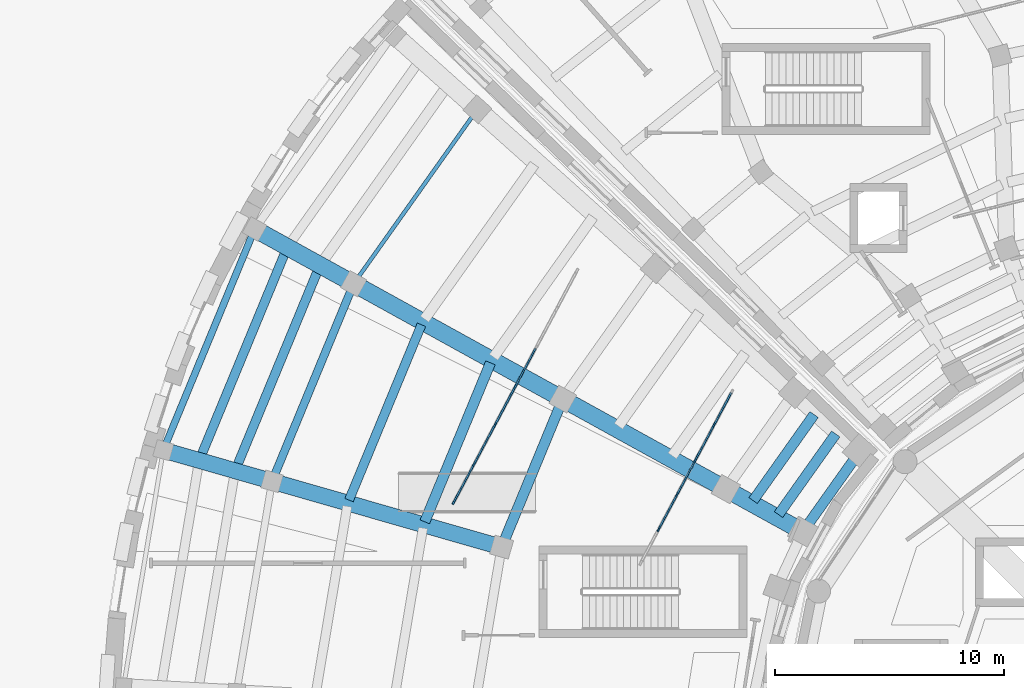
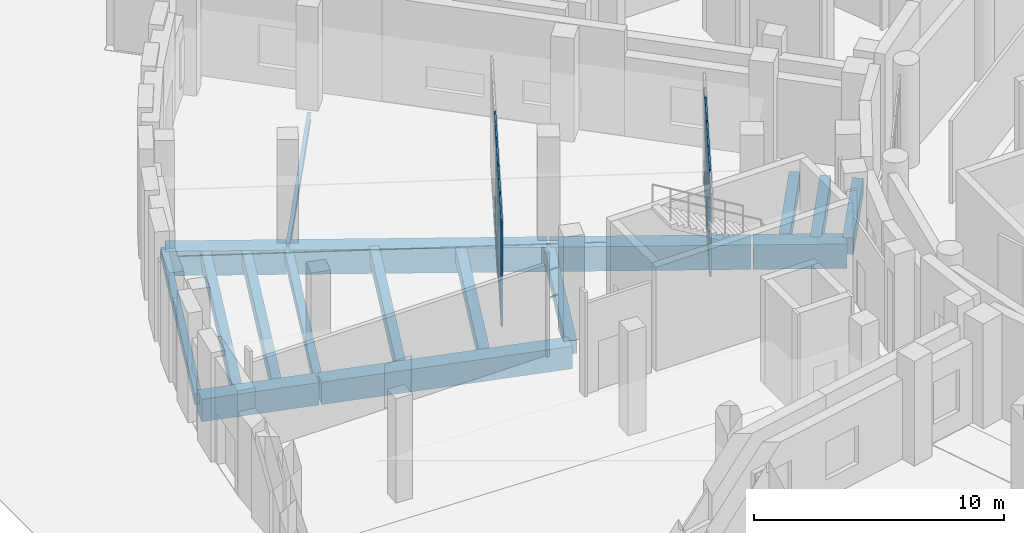
# One storey, part 21 of 74: 39 members, 17 beams, 2 elements without a shape of their own.
"""IFC4 building model written with IfcOpenShell, lengths in metres."""

from ifc_helpers import new_model, si_unit, direction, frame, origin, origin_2d, place, context, subcontext, project, spatial, rectangle, i_section, extrude, material, material_profile, profile_set, type_object, element, aggregate, save


model = new_model("IFC4")

# Units and contexts
model_context = context("Model", 3, precision=1e-05, world=origin(), true_north=direction((0.0, 1.0)))
body_context = subcontext(model_context, "Body", "Model", "MODEL_VIEW")
ifc_project = project(units=[si_unit("LENGTHUNIT", "METRE"), si_unit("AREAUNIT", "SQUARE_METRE"), si_unit("VOLUMEUNIT", "CUBIC_METRE"), si_unit("PLANEANGLEUNIT", "RADIAN"), si_unit("MASSUNIT", "GRAM", prefix="KILO")], contexts=[model_context])

# Site, building, storey
site_placement = place(None, origin())
site = spatial("IfcSite", under=ifc_project, at=site_placement, CompositionType="ELEMENT")
building_placement = place(site_placement, origin())
building = spatial("IfcBuilding", under=site, at=building_placement, Name="Soyqirgoq Riverine Aquarium", CompositionType="ELEMENT")
storey_placement = place(building_placement, origin())
storey = spatial("IfcBuildingStorey", under=building, at=storey_placement, Name="L01", CompositionType="ELEMENT", Elevation=0.0)

# Beams
ifc_material_1 = material(Name="Concrete C40/50", Category="concrete")
ifc_material_profile_1 = material_profile(ifc_material_1, rectangle(XDim=0.39990234375, YDim=0.64990234375, at=origin_2d()), Name="RC 400x650")
ifc_profile_set_1 = profile_set([ifc_material_profile_1], Name="Concrete C40/50")
beam_type_1 = type_object("IfcBeamType", Name="Beam_RC_400x650", PredefinedType="BEAM", material=ifc_profile_set_1)
beam_1_placement = place(storey_placement, frame((16.580078125, 78.602294921875, -0.675048828125), z_axis=(-0.381878309596, -0.924212614424, 0.0), x_axis=(0.924212614424, -0.381878309596, 0.0)))
element("IfcBeam", 1, at=beam_1_placement, inside=storey, type_object=beam_type_1, Name="V3 L01 Secondary Floor Joist 0349", PredefinedType="BEAM", context=body_context, shape_type="SweptSolid", body=[
    extrude(rectangle(XDim=0.39990234375, YDim=0.64990234375, at=origin_2d()), origin(), (0.0, 0.0, 1.0), 9.822998046875),
])
ifc_material_2 = material(Name="Concrete C40/50", Category="concrete")
ifc_material_profile_2 = material_profile(ifc_material_2, rectangle(XDim=0.39990234375, YDim=0.699951171875, at=origin_2d()), Name="RC 400x700")
ifc_profile_set_2 = profile_set([ifc_material_profile_2], Name="Concrete C40/50")
beam_type_2 = type_object("IfcBeamType", Name="Beam_RC_400x700", PredefinedType="BEAM", material=ifc_profile_set_2)
beam_2_placement = place(storey_placement, frame((22.50244140625, 75.332763671875, -0.699951171875), z_axis=(-0.381876463653, -0.924213377153, 0.0), x_axis=(0.924213377153, -0.381876463653, 0.0)))
element("IfcBeam", 2, at=beam_2_placement, inside=storey, type_object=beam_type_2, Name="V3 L01 Secondary Floor Joist 0337", PredefinedType="BEAM", context=body_context, shape_type="SweptSolid", body=[
    extrude(rectangle(XDim=0.39990234375, YDim=0.699951171875, at=origin_2d()), origin(), (0.0, 0.0, 1.0), 8.302734375),
])
beam_3_placement = place(storey_placement, frame((18.010009765625, 77.812744140625, -0.699951171875), z_axis=(-0.381863720074, -0.92421864258, 0.0), x_axis=(0.92421864258, -0.381863720074, 0.0)))
element("IfcBeam", 3, at=beam_3_placement, inside=storey, type_object=beam_type_2, Name="V3 L01 Secondary Floor Joist 0348", PredefinedType="BEAM", context=body_context, shape_type="SweptSolid", body=[
    extrude(rectangle(XDim=0.39990234375, YDim=0.699951171875, at=origin_2d()), origin(), (0.0, 0.0, 1.0), 9.455810546875),
])
ifc_material_3 = material(Name="Concrete C40/50", Category="concrete")
ifc_material_profile_3 = material_profile(ifc_material_3, rectangle(XDim=0.449951171875, YDim=0.64990234375, at=origin_2d()), Name="RC 450x650")
ifc_profile_set_3 = profile_set([ifc_material_profile_3], Name="Concrete C40/50")
beam_type_3 = type_object("IfcBeamType", Name="Beam_RC_450x650", PredefinedType="BEAM", material=ifc_profile_set_3)
beam_4_placement = place(storey_placement, frame((28.66650390625, 72.0322265625, -0.675048828125), z_axis=(-0.381899251328, -0.924203961166, 0.0), x_axis=(0.924203961166, -0.381899251328, 0.0)))
element("IfcBeam", 4, at=beam_4_placement, inside=storey, type_object=beam_type_3, Name="V3 L01 Wedge Chord Beam 0331", PredefinedType="BEAM", context=body_context, shape_type="SweptSolid", body=[
    extrude(rectangle(XDim=0.449951171875, YDim=0.64990234375, at=origin_2d()), origin(), (0.0, 0.0, 1.0), 6.909912109375),
])
beam_5_placement = place(storey_placement, frame((25.521484375, 73.666015625, -0.675048828125), z_axis=(-0.38187337807, -0.924214652081, 0.0), x_axis=(0.924214652081, -0.38187337807, 0.0)))
element("IfcBeam", 5, at=beam_5_placement, inside=storey, type_object=beam_type_3, Name="V3 L01 Secondary Floor Joist 0336", PredefinedType="BEAM", context=body_context, shape_type="SweptSolid", body=[
    extrude(rectangle(XDim=0.449951171875, YDim=0.64990234375, at=origin_2d()), origin(), (0.0, 0.0, 1.0), 7.528076171875),
])
ifc_material_4 = material(Name="Concrete C40/50", Category="concrete")
ifc_material_profile_4 = material_profile(ifc_material_4, rectangle(XDim=0.449951171875, YDim=0.75, at=origin_2d()), Name="RC 450x750")
ifc_profile_set_4 = profile_set([ifc_material_profile_4], Name="Concrete C40/50")
beam_type_4 = type_object("IfcBeamType", Name="Beam_RC_450x750", PredefinedType="BEAM", material=ifc_profile_set_4)
beam_6_placement = place(storey_placement, frame((39.682861328125, 71.402587890625, -0.72509765625), z_axis=(-0.578551706163, -0.81564570942, 0.0), x_axis=(0.81564570942, -0.578551706163, 0.0)))
element("IfcBeam", 6, at=beam_6_placement, inside=storey, type_object=beam_type_4, Name="V3 L01 Secondary Floor Joist 0326", PredefinedType="BEAM", context=body_context, shape_type="SweptSolid", body=[
    extrude(rectangle(XDim=0.449951171875, YDim=0.75, at=origin_2d()), origin(), (0.0, 0.0, 1.0), 4.613037109375),
])
ifc_material_5 = material(Name="Concrete C40/50", Category="concrete")
ifc_material_profile_5 = material_profile(ifc_material_5, rectangle(XDim=0.449951171875, YDim=0.800048828125, at=origin_2d()), Name="RC 450x800")
ifc_profile_set_5 = profile_set([ifc_material_profile_5], Name="Concrete C40/50")
beam_type_5 = type_object("IfcBeamType", Name="Beam_RC_450x800", PredefinedType="BEAM", material=ifc_profile_set_5)
beam_7_placement = place(storey_placement, frame((41.657958984375, 69.756591796875, -0.75), z_axis=(-0.578587890745, -0.81562004186, 0.0), x_axis=(0.81562004186, -0.578587890745, 0.0)))
element("IfcBeam", 7, at=beam_7_placement, inside=storey, type_object=beam_type_5, Name="V3 L01 Wedge Chord Beam 0321", PredefinedType="BEAM", context=body_context, shape_type="SweptSolid", body=[
    extrude(rectangle(XDim=0.449951171875, YDim=0.800048828125, at=origin_2d()), origin(), (0.0, 0.0, 1.0), 4.213623046875),
])
beam_8_placement = place(storey_placement, frame((40.630126953125, 70.5556640625, -0.75), z_axis=(-0.578577557542, -0.815627371971, 0.0), x_axis=(0.815627371971, -0.578577557542, 0.0)))
element("IfcBeam", 8, at=beam_8_placement, inside=storey, type_object=beam_type_5, Name="V3 L01 Secondary Floor Joist 0325", PredefinedType="BEAM", context=body_context, shape_type="SweptSolid", body=[
    extrude(rectangle(XDim=0.449951171875, YDim=0.800048828125, at=origin_2d()), origin(), (0.0, 0.0, 1.0), 4.32763671875),
])

# Curtain wall, members
ifc_material_6 = material(Name="Cast polymethyl methacrylate PMMA Habitat Viewing Glazing", Category="glass")
curtain_wall_type = type_object("IfcCurtainWallType", Name="CW_Interior_TankVitrine", PredefinedType="NOTDEFINED", material=ifc_material_6)
curtain_wall_1_placement = place(storey_placement, origin())
curtain_wall_1 = element("IfcCurtainWall", 9, at=curtain_wall_1_placement, inside=storey, type_object=curtain_wall_type, Name="V3 L01 Curtain Wall 147", PredefinedType="NOTDEFINED")
ifc_material_7 = material(Name="Anodised aluminium 6063-T6", Category="aluminium")
ifc_material_profile_6 = material_profile(ifc_material_7, rectangle(XDim=0.080078125, YDim=0.219970703125, at=origin_2d()), Name="ALU-M 80x220")
ifc_profile_set_6 = profile_set([ifc_material_profile_6], Name="Anodised aluminium 6063-T6")
member_type_1 = type_object("IfcMemberType", Name="CWMullion_80x220", PredefinedType="MULLION", material=ifc_profile_set_6)
member_1_placement = place(storey_placement, frame((35.292236328125, 70.916259765625, 0.0), z_axis=(0.0, 0.0, 1.0), x_axis=(0.882946853562, -0.469472953199, 0.0)))
member_1 = element("IfcMember", 10, at=member_1_placement, type_object=member_type_1, Name="CW-07 mullion 2", PredefinedType="MULLION", context=body_context, shape_type="SweptSolid", body=[
    extrude(rectangle(XDim=0.080078125, YDim=0.219970703125, at=origin_2d()), origin(), (0.0, 0.0, 1.0), 5.10009765625),
])
member_2_placement = place(storey_placement, frame((34.4892578125, 69.406005859375, 0.0), z_axis=(0.0, 0.0, 1.0), x_axis=(0.882946853562, -0.469472953199, 0.0)))
member_2 = element("IfcMember", 11, at=member_2_placement, type_object=member_type_1, Name="CW-07 mullion 3", PredefinedType="MULLION", context=body_context, shape_type="SweptSolid", body=[
    extrude(rectangle(XDim=0.080078125, YDim=0.219970703125, at=origin_2d()), origin(), (0.0, 0.0, 1.0), 5.10009765625),
])
member_3_placement = place(storey_placement, frame((33.686279296875, 67.895751953125, 0.0), z_axis=(0.0, 0.0, 1.0), x_axis=(0.882946853562, -0.469472953199, 0.0)))
member_3 = element("IfcMember", 12, at=member_3_placement, type_object=member_type_1, Name="CW-07 mullion 4", PredefinedType="MULLION", context=body_context, shape_type="SweptSolid", body=[
    extrude(rectangle(XDim=0.080078125, YDim=0.219970703125, at=origin_2d()), origin(), (0.0, 0.0, 1.0), 5.10009765625),
])
member_4_placement = place(storey_placement, frame((32.88330078125, 66.3857421875, 0.0), z_axis=(0.0, 0.0, 1.0), x_axis=(0.882946853562, -0.469472953199, 0.0)))
member_4 = element("IfcMember", 13, at=member_4_placement, type_object=member_type_1, Name="CW-07 mullion 5", PredefinedType="MULLION", context=body_context, shape_type="SweptSolid", body=[
    extrude(rectangle(XDim=0.080078125, YDim=0.219970703125, at=origin_2d()), origin(), (0.0, 0.0, 1.0), 5.10009765625),
])

curtain_wall_2_placement = place(storey_placement, origin())
curtain_wall_2 = element("IfcCurtainWall", 14, at=curtain_wall_2_placement, inside=storey, type_object=curtain_wall_type, Name="V3 L01 Curtain Wall 148", PredefinedType="NOTDEFINED")
member_5_placement = place(storey_placement, frame((26.60986328125, 72.627197265625, 0.0), z_axis=(0.0, 0.0, 1.0), x_axis=(0.88294600104, -0.46947455655, 0.0)))
member_5 = element("IfcMember", 15, at=member_5_placement, type_object=member_type_1, Name="CW-07 mullion 4", PredefinedType="MULLION", context=body_context, shape_type="SweptSolid", body=[
    extrude(rectangle(XDim=0.080078125, YDim=0.219970703125, at=origin_2d()), origin(), (0.0, 0.0, 1.0), 5.10009765625),
])
member_6_placement = place(storey_placement, frame((25.706787109375, 70.92919921875, 0.0), z_axis=(0.0, 0.0, 1.0), x_axis=(0.88294600104, -0.46947455655, 0.0)))
member_6 = element("IfcMember", 16, at=member_6_placement, type_object=member_type_1, Name="CW-07 mullion 5", PredefinedType="MULLION", context=body_context, shape_type="SweptSolid", body=[
    extrude(rectangle(XDim=0.080078125, YDim=0.219970703125, at=origin_2d()), origin(), (0.0, 0.0, 1.0), 5.10009765625),
])
member_7_placement = place(storey_placement, frame((24.803955078125, 69.231201171875, 0.0), z_axis=(0.0, 0.0, 1.0), x_axis=(0.88294600104, -0.46947455655, 0.0)))
member_7 = element("IfcMember", 17, at=member_7_placement, type_object=member_type_1, Name="CW-07 mullion 6", PredefinedType="MULLION", context=body_context, shape_type="SweptSolid", body=[
    extrude(rectangle(XDim=0.080078125, YDim=0.219970703125, at=origin_2d()), origin(), (0.0, 0.0, 1.0), 5.10009765625),
])
member_8_placement = place(storey_placement, frame((23.919921875, 67.568359375, 0.0), z_axis=(0.0, 0.0, 1.0), x_axis=(0.88294600104, -0.46947455655, 0.0)))
member_8 = element("IfcMember", 18, at=member_8_placement, type_object=member_type_1, Name="CW-07 mullion 7", PredefinedType="MULLION", context=body_context, shape_type="SweptSolid", body=[
    extrude(rectangle(XDim=0.080078125, YDim=0.219970703125, at=origin_2d()), origin(), (0.0, 0.0, 1.0), 5.10009765625),
])

# Member
ifc_material_8 = material(Name="Anodised aluminium 6063-T6", Category="aluminium")
ifc_material_profile_7 = material_profile(ifc_material_8, rectangle(XDim=0.074951171875, YDim=0.14990234375, at=origin_2d()), Name="ALU-T 75x150")
ifc_profile_set_7 = profile_set([ifc_material_profile_7], Name="Anodised aluminium 6063-T6")
member_type_2 = type_object("IfcMemberType", Name="CWTransom_75x150", PredefinedType="USERDEFINED", material=ifc_profile_set_7)
member_9_placement = place(storey_placement, frame((36.0576171875, 72.355712890625, 0.03759765625), z_axis=(-0.46942457219, -0.882972576598, 0.0), x_axis=(0.882972576598, -0.46942457219, 0.0)))
member_9 = element("IfcMember", 19, at=member_9_placement, type_object=member_type_2, Name="CW-07 transom 1.1", ObjectType="TRANSOM", PredefinedType="USERDEFINED", context=body_context, shape_type="SweptSolid", body=[
    extrude(rectangle(XDim=0.074951171875, YDim=0.14990234375, at=origin_2d()), origin(), (0.0, 0.0, 1.0), 1.59033203125),
])

member_10_placement = place(storey_placement, frame((36.0576171875, 72.355712890625, 0.89990234375), z_axis=(-0.46942457219, -0.882972576598, 0.0), x_axis=(0.882972576598, -0.46942457219, 0.0)))
member_10 = element("IfcMember", 20, at=member_10_placement, type_object=member_type_2, Name="CW-07 transom 1.2", ObjectType="TRANSOM", PredefinedType="USERDEFINED", context=body_context, shape_type="SweptSolid", body=[
    extrude(rectangle(XDim=0.074951171875, YDim=0.14990234375, at=origin_2d()), origin(), (0.0, 0.0, 1.0), 1.59033203125),
])

member_11_placement = place(storey_placement, frame((36.0576171875, 72.355712890625, 4.39990234375), z_axis=(-0.46942457219, -0.882972576598, 0.0), x_axis=(0.882972576598, -0.46942457219, 0.0)))
member_11 = element("IfcMember", 21, at=member_11_placement, type_object=member_type_2, Name="CW-07 transom 1.3", ObjectType="TRANSOM", PredefinedType="USERDEFINED", context=body_context, shape_type="SweptSolid", body=[
    extrude(rectangle(XDim=0.074951171875, YDim=0.14990234375, at=origin_2d()), origin(), (0.0, 0.0, 1.0), 1.59033203125),
])

member_12_placement = place(storey_placement, frame((35.2734375, 70.880859375, 0.03759765625), z_axis=(-0.469476371699, -0.882945035898, 0.0), x_axis=(0.882945035898, -0.469476371699, 0.0)))
member_12 = element("IfcMember", 22, at=member_12_placement, type_object=member_type_2, Name="CW-07 transom 2.1", ObjectType="TRANSOM", PredefinedType="USERDEFINED", context=body_context, shape_type="SweptSolid", body=[
    extrude(rectangle(XDim=0.074951171875, YDim=0.14990234375, at=origin_2d()), origin(), (0.0, 0.0, 1.0), 1.63037109375),
])

member_13_placement = place(storey_placement, frame((35.2734375, 70.880859375, 0.89990234375), z_axis=(-0.469476371699, -0.882945035898, 0.0), x_axis=(0.882945035898, -0.469476371699, 0.0)))
member_13 = element("IfcMember", 23, at=member_13_placement, type_object=member_type_2, Name="CW-07 transom 2.2", ObjectType="TRANSOM", PredefinedType="USERDEFINED", context=body_context, shape_type="SweptSolid", body=[
    extrude(rectangle(XDim=0.074951171875, YDim=0.14990234375, at=origin_2d()), origin(), (0.0, 0.0, 1.0), 1.63037109375),
])

member_14_placement = place(storey_placement, frame((35.2734375, 70.880859375, 4.39990234375), z_axis=(-0.469476371699, -0.882945035898, 0.0), x_axis=(0.882945035898, -0.469476371699, 0.0)))
member_14 = element("IfcMember", 24, at=member_14_placement, type_object=member_type_2, Name="CW-07 transom 2.3", ObjectType="TRANSOM", PredefinedType="USERDEFINED", context=body_context, shape_type="SweptSolid", body=[
    extrude(rectangle(XDim=0.074951171875, YDim=0.14990234375, at=origin_2d()), origin(), (0.0, 0.0, 1.0), 1.63037109375),
])

member_15_placement = place(storey_placement, frame((35.2734375, 70.880859375, 5.0625), z_axis=(-0.469476371699, -0.882945035898, 0.0), x_axis=(0.882945035898, -0.469476371699, 0.0)))
member_15 = element("IfcMember", 25, at=member_15_placement, type_object=member_type_2, Name="CW-07 transom 2.4", ObjectType="TRANSOM", PredefinedType="USERDEFINED", context=body_context, shape_type="SweptSolid", body=[
    extrude(rectangle(XDim=0.074951171875, YDim=0.14990234375, at=origin_2d()), origin(), (0.0, 0.0, 1.0), 1.63037109375),
])

member_16_placement = place(storey_placement, frame((34.470458984375, 69.37060546875, 0.03759765625), z_axis=(-0.469476371699, -0.882945035898, 0.0), x_axis=(0.882945035898, -0.469476371699, 0.0)))
member_16 = element("IfcMember", 26, at=member_16_placement, type_object=member_type_2, Name="CW-07 transom 3.1", ObjectType="TRANSOM", PredefinedType="USERDEFINED", context=body_context, shape_type="SweptSolid", body=[
    extrude(rectangle(XDim=0.074951171875, YDim=0.14990234375, at=origin_2d()), origin(), (0.0, 0.0, 1.0), 1.63037109375),
])

member_17_placement = place(storey_placement, frame((34.470458984375, 69.37060546875, 0.89990234375), z_axis=(-0.469476371699, -0.882945035898, 0.0), x_axis=(0.882945035898, -0.469476371699, 0.0)))
member_17 = element("IfcMember", 27, at=member_17_placement, type_object=member_type_2, Name="CW-07 transom 3.2", ObjectType="TRANSOM", PredefinedType="USERDEFINED", context=body_context, shape_type="SweptSolid", body=[
    extrude(rectangle(XDim=0.074951171875, YDim=0.14990234375, at=origin_2d()), origin(), (0.0, 0.0, 1.0), 1.63037109375),
])

member_18_placement = place(storey_placement, frame((34.470458984375, 69.37060546875, 4.39990234375), z_axis=(-0.469476371699, -0.882945035898, 0.0), x_axis=(0.882945035898, -0.469476371699, 0.0)))
member_18 = element("IfcMember", 28, at=member_18_placement, type_object=member_type_2, Name="CW-07 transom 3.3", ObjectType="TRANSOM", PredefinedType="USERDEFINED", context=body_context, shape_type="SweptSolid", body=[
    extrude(rectangle(XDim=0.074951171875, YDim=0.14990234375, at=origin_2d()), origin(), (0.0, 0.0, 1.0), 1.63037109375),
])

member_19_placement = place(storey_placement, frame((34.470458984375, 69.37060546875, 5.0625), z_axis=(-0.469476371699, -0.882945035898, 0.0), x_axis=(0.882945035898, -0.469476371699, 0.0)))
member_19 = element("IfcMember", 29, at=member_19_placement, type_object=member_type_2, Name="CW-07 transom 3.4", ObjectType="TRANSOM", PredefinedType="USERDEFINED", context=body_context, shape_type="SweptSolid", body=[
    extrude(rectangle(XDim=0.074951171875, YDim=0.14990234375, at=origin_2d()), origin(), (0.0, 0.0, 1.0), 1.63037109375),
])

member_20_placement = place(storey_placement, frame((33.66748046875, 67.860595703125, 0.03759765625), z_axis=(-0.469414302764, -0.882978036171, 0.0), x_axis=(0.882978036171, -0.469414302764, 0.0)))
member_20 = element("IfcMember", 30, at=member_20_placement, type_object=member_type_2, Name="CW-07 transom 4.1", ObjectType="TRANSOM", PredefinedType="USERDEFINED", context=body_context, shape_type="SweptSolid", body=[
    extrude(rectangle(XDim=0.074951171875, YDim=0.14990234375, at=origin_2d()), origin(), (0.0, 0.0, 1.0), 1.630615234375),
])

member_21_placement = place(storey_placement, frame((33.66748046875, 67.860595703125, 0.89990234375), z_axis=(-0.469414302764, -0.882978036171, 0.0), x_axis=(0.882978036171, -0.469414302764, 0.0)))
member_21 = element("IfcMember", 31, at=member_21_placement, type_object=member_type_2, Name="CW-07 transom 4.2", ObjectType="TRANSOM", PredefinedType="USERDEFINED", context=body_context, shape_type="SweptSolid", body=[
    extrude(rectangle(XDim=0.074951171875, YDim=0.14990234375, at=origin_2d()), origin(), (0.0, 0.0, 1.0), 1.630615234375),
])

member_22_placement = place(storey_placement, frame((33.66748046875, 67.860595703125, 4.39990234375), z_axis=(-0.469414302764, -0.882978036171, 0.0), x_axis=(0.882978036171, -0.469414302764, 0.0)))
member_22 = element("IfcMember", 32, at=member_22_placement, type_object=member_type_2, Name="CW-07 transom 4.3", ObjectType="TRANSOM", PredefinedType="USERDEFINED", context=body_context, shape_type="SweptSolid", body=[
    extrude(rectangle(XDim=0.074951171875, YDim=0.14990234375, at=origin_2d()), origin(), (0.0, 0.0, 1.0), 1.630615234375),
])

member_23_placement = place(storey_placement, frame((33.66748046875, 67.860595703125, 5.0625), z_axis=(-0.469414302764, -0.882978036171, 0.0), x_axis=(0.882978036171, -0.469414302764, 0.0)))
member_23 = element("IfcMember", 33, at=member_23_placement, type_object=member_type_2, Name="CW-07 transom 4.4", ObjectType="TRANSOM", PredefinedType="USERDEFINED", context=body_context, shape_type="SweptSolid", body=[
    extrude(rectangle(XDim=0.074951171875, YDim=0.14990234375, at=origin_2d()), origin(), (0.0, 0.0, 1.0), 1.630615234375),
])

aggregate(curtain_wall_1, [member_1, member_2, member_3, member_4, member_9, member_10, member_11, member_12, member_13, member_14, member_15, member_16, member_17, member_18, member_19, member_20, member_21, member_22, member_23])

member_24_placement = place(storey_placement, frame((27.493896484375, 74.289794921875, 0.03759765625), z_axis=(-0.469536090238, -0.882913279979, 0.0), x_axis=(0.882913279979, -0.469536090238, 0.0)))
member_24 = element("IfcMember", 34, at=member_24_placement, type_object=member_type_2, Name="CW-07 transom 3.1", ObjectType="TRANSOM", PredefinedType="USERDEFINED", context=body_context, shape_type="SweptSolid", body=[
    extrude(rectangle(XDim=0.074951171875, YDim=0.14990234375, at=origin_2d()), origin(), (0.0, 0.0, 1.0), 1.84326171875),
])

member_25_placement = place(storey_placement, frame((27.493896484375, 74.289794921875, 0.89990234375), z_axis=(-0.469536090238, -0.882913279979, 0.0), x_axis=(0.882913279979, -0.469536090238, 0.0)))
member_25 = element("IfcMember", 35, at=member_25_placement, type_object=member_type_2, Name="CW-07 transom 3.2", ObjectType="TRANSOM", PredefinedType="USERDEFINED", context=body_context, shape_type="SweptSolid", body=[
    extrude(rectangle(XDim=0.074951171875, YDim=0.14990234375, at=origin_2d()), origin(), (0.0, 0.0, 1.0), 1.84326171875),
])

member_26_placement = place(storey_placement, frame((27.493896484375, 74.289794921875, 4.39990234375), z_axis=(-0.469536090238, -0.882913279979, 0.0), x_axis=(0.882913279979, -0.469536090238, 0.0)))
member_26 = element("IfcMember", 36, at=member_26_placement, type_object=member_type_2, Name="CW-07 transom 3.3", ObjectType="TRANSOM", PredefinedType="USERDEFINED", context=body_context, shape_type="SweptSolid", body=[
    extrude(rectangle(XDim=0.074951171875, YDim=0.14990234375, at=origin_2d()), origin(), (0.0, 0.0, 1.0), 1.84326171875),
])

member_27_placement = place(storey_placement, frame((27.493896484375, 74.289794921875, 5.0625), z_axis=(-0.469536090238, -0.882913279979, 0.0), x_axis=(0.882913279979, -0.469536090238, 0.0)))
member_27 = element("IfcMember", 37, at=member_27_placement, type_object=member_type_2, Name="CW-07 transom 3.4", ObjectType="TRANSOM", PredefinedType="USERDEFINED", context=body_context, shape_type="SweptSolid", body=[
    extrude(rectangle(XDim=0.074951171875, YDim=0.14990234375, at=origin_2d()), origin(), (0.0, 0.0, 1.0), 1.84326171875),
])

member_28_placement = place(storey_placement, frame((26.591064453125, 72.591796875, 0.03759765625), z_axis=(-0.469536090238, -0.882913279979, 0.0), x_axis=(0.882913279979, -0.469536090238, 0.0)))
member_28 = element("IfcMember", 38, at=member_28_placement, type_object=member_type_2, Name="CW-07 transom 4.1", ObjectType="TRANSOM", PredefinedType="USERDEFINED", context=body_context, shape_type="SweptSolid", body=[
    extrude(rectangle(XDim=0.074951171875, YDim=0.14990234375, at=origin_2d()), origin(), (0.0, 0.0, 1.0), 1.84326171875),
])

member_29_placement = place(storey_placement, frame((26.591064453125, 72.591796875, 0.89990234375), z_axis=(-0.469536090238, -0.882913279979, 0.0), x_axis=(0.882913279979, -0.469536090238, 0.0)))
member_29 = element("IfcMember", 39, at=member_29_placement, type_object=member_type_2, Name="CW-07 transom 4.2", ObjectType="TRANSOM", PredefinedType="USERDEFINED", context=body_context, shape_type="SweptSolid", body=[
    extrude(rectangle(XDim=0.074951171875, YDim=0.14990234375, at=origin_2d()), origin(), (0.0, 0.0, 1.0), 1.84326171875),
])

member_30_placement = place(storey_placement, frame((26.591064453125, 72.591796875, 4.39990234375), z_axis=(-0.469536090238, -0.882913279979, 0.0), x_axis=(0.882913279979, -0.469536090238, 0.0)))
member_30 = element("IfcMember", 40, at=member_30_placement, type_object=member_type_2, Name="CW-07 transom 4.3", ObjectType="TRANSOM", PredefinedType="USERDEFINED", context=body_context, shape_type="SweptSolid", body=[
    extrude(rectangle(XDim=0.074951171875, YDim=0.14990234375, at=origin_2d()), origin(), (0.0, 0.0, 1.0), 1.84326171875),
])

member_31_placement = place(storey_placement, frame((26.591064453125, 72.591796875, 5.0625), z_axis=(-0.469536090238, -0.882913279979, 0.0), x_axis=(0.882913279979, -0.469536090238, 0.0)))
member_31 = element("IfcMember", 41, at=member_31_placement, type_object=member_type_2, Name="CW-07 transom 4.4", ObjectType="TRANSOM", PredefinedType="USERDEFINED", context=body_context, shape_type="SweptSolid", body=[
    extrude(rectangle(XDim=0.074951171875, YDim=0.14990234375, at=origin_2d()), origin(), (0.0, 0.0, 1.0), 1.84326171875),
])

member_32_placement = place(storey_placement, frame((25.688232421875, 70.893798828125, 0.03759765625), z_axis=(-0.469536090238, -0.882913279979, 0.0), x_axis=(0.882913279979, -0.469536090238, 0.0)))
member_32 = element("IfcMember", 42, at=member_32_placement, type_object=member_type_2, Name="CW-07 transom 5.1", ObjectType="TRANSOM", PredefinedType="USERDEFINED", context=body_context, shape_type="SweptSolid", body=[
    extrude(rectangle(XDim=0.074951171875, YDim=0.14990234375, at=origin_2d()), origin(), (0.0, 0.0, 1.0), 1.84326171875),
])

member_33_placement = place(storey_placement, frame((25.688232421875, 70.893798828125, 0.89990234375), z_axis=(-0.469536090238, -0.882913279979, 0.0), x_axis=(0.882913279979, -0.469536090238, 0.0)))
member_33 = element("IfcMember", 43, at=member_33_placement, type_object=member_type_2, Name="CW-07 transom 5.2", ObjectType="TRANSOM", PredefinedType="USERDEFINED", context=body_context, shape_type="SweptSolid", body=[
    extrude(rectangle(XDim=0.074951171875, YDim=0.14990234375, at=origin_2d()), origin(), (0.0, 0.0, 1.0), 1.84326171875),
])

member_34_placement = place(storey_placement, frame((25.688232421875, 70.893798828125, 4.39990234375), z_axis=(-0.469536090238, -0.882913279979, 0.0), x_axis=(0.882913279979, -0.469536090238, 0.0)))
member_34 = element("IfcMember", 44, at=member_34_placement, type_object=member_type_2, Name="CW-07 transom 5.3", ObjectType="TRANSOM", PredefinedType="USERDEFINED", context=body_context, shape_type="SweptSolid", body=[
    extrude(rectangle(XDim=0.074951171875, YDim=0.14990234375, at=origin_2d()), origin(), (0.0, 0.0, 1.0), 1.84326171875),
])

member_35_placement = place(storey_placement, frame((25.688232421875, 70.893798828125, 5.0625), z_axis=(-0.469536090238, -0.882913279979, 0.0), x_axis=(0.882913279979, -0.469536090238, 0.0)))
member_35 = element("IfcMember", 45, at=member_35_placement, type_object=member_type_2, Name="CW-07 transom 5.4", ObjectType="TRANSOM", PredefinedType="USERDEFINED", context=body_context, shape_type="SweptSolid", body=[
    extrude(rectangle(XDim=0.074951171875, YDim=0.14990234375, at=origin_2d()), origin(), (0.0, 0.0, 1.0), 1.84326171875),
])

member_36_placement = place(storey_placement, frame((24.78515625, 69.19580078125, 0.03759765625), z_axis=(-0.469442300966, -0.882963151023, 0.0), x_axis=(0.882963151023, -0.469442300966, 0.0)))
member_36 = element("IfcMember", 46, at=member_36_placement, type_object=member_type_2, Name="CW-07 transom 6.1", ObjectType="TRANSOM", PredefinedType="USERDEFINED", context=body_context, shape_type="SweptSolid", body=[
    extrude(rectangle(XDim=0.074951171875, YDim=0.14990234375, at=origin_2d()), origin(), (0.0, 0.0, 1.0), 1.802978515625),
])

member_37_placement = place(storey_placement, frame((24.78515625, 69.19580078125, 0.89990234375), z_axis=(-0.469442300966, -0.882963151023, 0.0), x_axis=(0.882963151023, -0.469442300966, 0.0)))
member_37 = element("IfcMember", 47, at=member_37_placement, type_object=member_type_2, Name="CW-07 transom 6.2", ObjectType="TRANSOM", PredefinedType="USERDEFINED", context=body_context, shape_type="SweptSolid", body=[
    extrude(rectangle(XDim=0.074951171875, YDim=0.14990234375, at=origin_2d()), origin(), (0.0, 0.0, 1.0), 1.802978515625),
])

member_38_placement = place(storey_placement, frame((24.78515625, 69.19580078125, 4.39990234375), z_axis=(-0.469442300966, -0.882963151023, 0.0), x_axis=(0.882963151023, -0.469442300966, 0.0)))
member_38 = element("IfcMember", 48, at=member_38_placement, type_object=member_type_2, Name="CW-07 transom 6.3", ObjectType="TRANSOM", PredefinedType="USERDEFINED", context=body_context, shape_type="SweptSolid", body=[
    extrude(rectangle(XDim=0.074951171875, YDim=0.14990234375, at=origin_2d()), origin(), (0.0, 0.0, 1.0), 1.802978515625),
])

member_39_placement = place(storey_placement, frame((24.78515625, 69.19580078125, 5.0625), z_axis=(-0.469442300966, -0.882963151023, 0.0), x_axis=(0.882963151023, -0.469442300966, 0.0)))
member_39 = element("IfcMember", 49, at=member_39_placement, type_object=member_type_2, Name="CW-07 transom 6.4", ObjectType="TRANSOM", PredefinedType="USERDEFINED", context=body_context, shape_type="SweptSolid", body=[
    extrude(rectangle(XDim=0.074951171875, YDim=0.14990234375, at=origin_2d()), origin(), (0.0, 0.0, 1.0), 1.802978515625),
])

aggregate(curtain_wall_2, [member_5, member_6, member_7, member_8, member_24, member_25, member_26, member_27, member_28, member_29, member_30, member_31, member_32, member_33, member_34, member_35, member_36, member_37, member_38, member_39])

# Beams
ifc_material_9 = material(Name="Concrete C40/50", Category="concrete")
ifc_material_profile_8 = material_profile(ifc_material_9, rectangle(XDim=0.699951171875, YDim=1.10009765625, at=origin_2d()), Name="RC 700x1100")
ifc_profile_set_8 = profile_set([ifc_material_profile_8], Name="Concrete C40/50")
beam_type_6 = type_object("IfcBeamType", Name="Girder_RC_700x1100", PredefinedType="BEAM", material=ifc_profile_set_8)
beam_9_placement = place(storey_placement, frame((25.96044921875, 65.61376953125, -0.89990234375), z_axis=(-0.961260911346, 0.275640092002, 0.0), x_axis=(-0.275640092002, -0.961260911346, 0.0)))
element("IfcBeam", 50, at=beam_9_placement, inside=storey, type_object=beam_type_6, Name="V3 L01 Wedge Radial Girder 0312", PredefinedType="BEAM", context=body_context, shape_type="SweptSolid", body=[
    extrude(rectangle(XDim=0.699951171875, YDim=1.10009765625, at=origin_2d()), origin(), (0.0, 0.0, 1.0), 10.349609375),
])
beam_10_placement = place(storey_placement, frame((15.915283203125, 68.494140625, -0.89990234375), z_axis=(-0.961267073017, 0.275618603025, 0.0), x_axis=(-0.275618603025, -0.961267073017, 0.0)))
element("IfcBeam", 51, at=beam_10_placement, inside=storey, type_object=beam_type_6, Name="V3 L01 Wedge Radial Girder 0313", PredefinedType="BEAM", context=body_context, shape_type="SweptSolid", body=[
    extrude(rectangle(XDim=0.699951171875, YDim=1.10009765625, at=origin_2d()), origin(), (0.0, 0.0, 1.0), 4.849609375),
])
ifc_material_10 = material(Name="Concrete C40/50", Category="concrete")
ifc_material_profile_9 = material_profile(ifc_material_10, rectangle(XDim=0.75, YDim=1.199951171875, at=origin_2d()), Name="RC 750x1200")
ifc_profile_set_9 = profile_set([ifc_material_profile_9], Name="Concrete C40/50")
beam_type_7 = type_object("IfcBeamType", Name="Girder_RC_750x1200", PredefinedType="BEAM", material=ifc_profile_set_9)
beam_11_placement = place(storey_placement, frame((39.147216796875, 66.30322265625, -0.949951171875), z_axis=(-0.875468460736, 0.483275257235, 0.0), x_axis=(-0.483275257235, -0.875468460736, 0.0)))
element("IfcBeam", 52, at=beam_11_placement, inside=storey, type_object=beam_type_7, Name="V3 L01 Wedge Radial Girder 0308", PredefinedType="BEAM", context=body_context, shape_type="SweptSolid", body=[
    extrude(rectangle(XDim=0.75, YDim=1.199951171875, at=origin_2d()), origin(), (0.0, 0.0, 1.0), 3.75),
])
beam_12_placement = place(storey_placement, frame((35.776611328125, 68.163818359375, -0.949951171875), z_axis=(-0.875463091133, 0.483284984314, 0.0), x_axis=(-0.483284984314, -0.875463091133, 0.0)))
element("IfcBeam", 53, at=beam_12_placement, inside=storey, type_object=beam_type_7, Name="V3 L01 Wedge Radial Girder 0309", PredefinedType="BEAM", context=body_context, shape_type="SweptSolid", body=[
    extrude(rectangle(XDim=0.75, YDim=1.199951171875, at=origin_2d()), origin(), (0.0, 0.0, 1.0), 8.0498046875),
])
beam_13_placement = place(storey_placement, frame((28.6416015625, 72.1025390625, -0.949951171875), z_axis=(-0.875459304087, 0.483291844425, 0.0), x_axis=(-0.483291844425, -0.875459304087, 0.0)))
element("IfcBeam", 54, at=beam_13_placement, inside=storey, type_object=beam_type_7, Name="V3 L01 Wedge Radial Girder 0310", PredefinedType="BEAM", context=body_context, shape_type="SweptSolid", body=[
    extrude(rectangle(XDim=0.75, YDim=1.199951171875, at=origin_2d()), origin(), (0.0, 0.0, 1.0), 10.349853515625),
])
beam_14_placement = place(storey_placement, frame((19.4931640625, 77.15283203125, -0.949951171875), z_axis=(-0.875450635381, 0.483307547024, 0.0), x_axis=(-0.483307547024, -0.875450635381, 0.0)))
element("IfcBeam", 55, at=beam_14_placement, inside=storey, type_object=beam_type_7, Name="V3 L01 Wedge Radial Girder 0311", PredefinedType="BEAM", context=body_context, shape_type="SweptSolid", body=[
    extrude(rectangle(XDim=0.75, YDim=1.199951171875, at=origin_2d()), origin(), (0.0, 0.0, 1.0), 4.849853515625),
])
ifc_material_11 = material(Name="Concrete C40/50", Category="concrete")
ifc_material_profile_10 = material_profile(ifc_material_11, rectangle(XDim=0.300048828125, YDim=0.5, at=origin_2d()), Name="RC 300x500")
ifc_profile_set_10 = profile_set([ifc_material_profile_10], Name="Concrete C40/50")
beam_type_8 = type_object("IfcBeamType", Name="Spandrel_RC_300x500", PredefinedType="SPANDREL", material=ifc_profile_set_10)
beam_15_placement = place(storey_placement, frame((15.184326171875, 79.474853515625, -0.60009765625), z_axis=(-0.381872079647, -0.924215188571, 0.0), x_axis=(0.924215188571, -0.381872079647, 0.0)))
element("IfcBeam", 56, at=beam_15_placement, inside=storey, type_object=beam_type_8, Name="V3 L01 Wedge Chord Beam 0355", PredefinedType="SPANDREL", context=body_context, shape_type="SweptSolid", body=[
    extrude(rectangle(XDim=0.300048828125, YDim=0.5, at=origin_2d()), origin(), (0.0, 0.0, 1.0), 10.369873046875),
])
ifc_material_12 = material(Name="Concrete C40/50", Category="concrete")
ifc_material_profile_11 = material_profile(ifc_material_12, rectangle(XDim=0.35009765625, YDim=0.5, at=origin_2d()), Name="RC 350x500")
ifc_profile_set_11 = profile_set([ifc_material_profile_11], Name="Concrete C40/50")
beam_type_9 = type_object("IfcBeamType", Name="Spandrel_RC_350x500", PredefinedType="SPANDREL", material=ifc_profile_set_11)
beam_16_placement = place(storey_placement, frame((19.517822265625, 77.08251953125, -0.60009765625), z_axis=(-0.381870346663, -0.924215904613, 0.0), x_axis=(0.924215904613, -0.381870346663, 0.0)))
element("IfcBeam", 57, at=beam_16_placement, inside=storey, type_object=beam_type_9, Name="V3 L01 Wedge Chord Beam 0343", PredefinedType="SPANDREL", context=body_context, shape_type="SweptSolid", body=[
    extrude(rectangle(XDim=0.35009765625, YDim=0.5, at=origin_2d()), origin(), (0.0, 0.0, 1.0), 9.257568359375),
])
ifc_material_13 = material(Name="Structural steel S355", Category="steel")
ifc_material_profile_12 = material_profile(ifc_material_13, i_section(OverallWidth=0.169921875, OverallDepth=0.360107421875, WebThickness=0.008056640625, FlangeThickness=0.0126953125, FilletRadius=0.01806640625, at=origin_2d()), Name="IPE 360")
ifc_profile_set_12 = profile_set([ifc_material_profile_12], Name="Structural steel S355")
beam_type_10 = type_object("IfcBeamType", Name="Spandrel_Steel_IPE360", PredefinedType="SPANDREL", material=ifc_profile_set_12)
beam_17_placement = place(storey_placement, frame((24.922119140625, 84.72021484375, -0.530029296875), z_axis=(-0.578573303227, -0.815630389817, 0.0), x_axis=(0.815630389817, -0.578573303227, 0.0)))
element("IfcBeam", 58, at=beam_17_placement, inside=storey, type_object=beam_type_10, Name="V3 L01 Wedge Chord Beam 0342", PredefinedType="SPANDREL", context=body_context, shape_type="SweptSolid", body=[
    extrude(i_section(OverallWidth=0.169921875, OverallDepth=0.360107421875, WebThickness=0.008056640625, FlangeThickness=0.0126953125, FilletRadius=0.01806640625, at=origin_2d()), origin(), (0.0, 0.0, 1.0), 9.257568359375),
])

save(model, "model.ifc")
